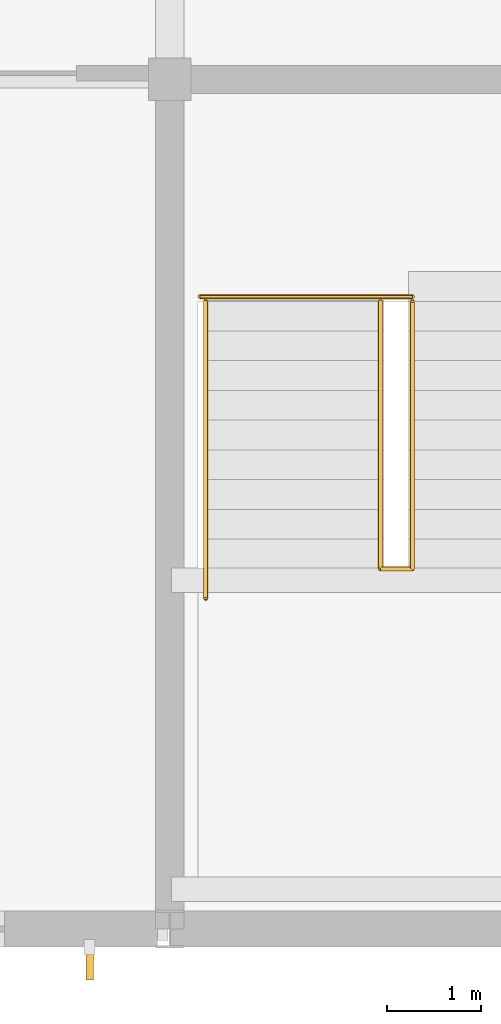
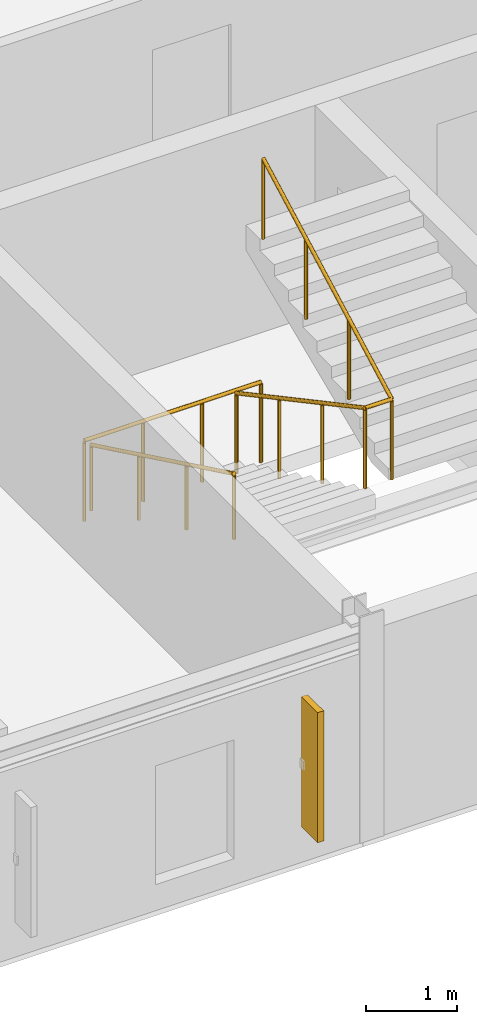
# One storey, part 22 of 24: 3 railings, 1 shading device.
"""IFC4 building model written with IfcOpenShell, lengths in metres."""

from ifc_helpers import new_model, si_unit, direction, frame, origin, origin_2d, place, context, subcontext, project, spatial, rectangle, circle, extrude, material, type_object, element, save


model = new_model("IFC4")

# Units and contexts
model_context = context("Model", 3, precision=1e-05, world=origin(), true_north=direction((0.0, 1.0)))
body_context = subcontext(model_context, "Body", "Model", "MODEL_VIEW")
ifc_project = project(units=[si_unit("LENGTHUNIT", "METRE"), si_unit("AREAUNIT", "SQUARE_METRE"), si_unit("VOLUMEUNIT", "CUBIC_METRE"), si_unit("PLANEANGLEUNIT", "RADIAN"), si_unit("MASSUNIT", "GRAM", prefix="KILO")], contexts=[model_context])

# Site, building, storey
site_placement = place(None, origin())
site = spatial("IfcSite", under=ifc_project, at=site_placement, CompositionType="ELEMENT")
building_placement = place(site_placement, origin())
building = spatial("IfcBuilding", under=site, at=building_placement, Name="Palais des Congres Ocreval", CompositionType="ELEMENT")
storey_placement = place(building_placement, frame((0.0, 0.0, 17.60009765625)))
storey = spatial("IfcBuildingStorey", under=building, at=storey_placement, Name="L05", CompositionType="ELEMENT", Elevation=17.60009765625)

# Railings
ifc_material_1 = material(Name="Anodized bronze aluminium", Category="aluminium")
railing_type_1 = type_object("IfcRailingType", Name="Bronze Stair and Ramp Handrail 900", PredefinedType="HANDRAIL", material=ifc_material_1)
railing_1_placement = place(storey_placement, frame((54.3798828125, 6.64990234375, 0.15185546875)))
element("IfcRailing", 1, at=railing_1_placement, inside=storey, type_object=railing_type_1, Name="Stair Wall Handrail ST04 L05", PredefinedType="HANDRAIL", context=body_context, shape_type="SweptSolid", body=[
    extrude(circle(Radius=0.02392578125, at=origin_2d()), frame((0.0, 0.0, 0.8759765625), z_axis=(0.0, -0.900621362251, 0.434604604044), x_axis=(1.0, 0.0, 0.0)), (0.0, 0.0, 1.0), 3.49755859375),
    extrude(circle(Radius=0.02099609375, at=origin_2d()), origin(), (0.0, 0.0, 1.0), 0.851806640625),
    extrude(circle(Radius=0.02099609375, at=origin_2d()), frame((0.0, -1.050048828125, 0.506591796875)), (0.0, 0.0, 1.0), 0.851806640625),
    extrude(circle(Radius=0.02099609375, at=origin_2d()), frame((0.0, -2.099853515625, 1.013427734375)), (0.0, 0.0, 1.0), 0.851806640625),
    extrude(circle(Radius=0.02099609375, at=origin_2d()), frame((0.0, -3.14990234375, 1.52001953125)), (0.0, 0.0, 1.0), 0.851806640625),
])
ifc_material_2 = material(Name="Steel S355", Category="steel")
railing_type_2 = type_object("IfcRailingType", Name="Stairwell Steel Guardrail 1100", PredefinedType="GUARDRAIL", material=ifc_material_2)
railing_2_placement = place(storey_placement, frame((54.320068359375, 6.699951171875, 0.0)))
element("IfcRailing", 2, at=railing_2_placement, inside=storey, type_object=railing_type_2, Name="Stairwell Landing Edge Guard ST04 L05", PredefinedType="GUARDRAIL", context=body_context, shape_type="SweptSolid", body=[
    extrude(circle(Radius=0.02392578125, at=origin_2d()), frame((0.0, 0.0, 1.076171875), z_axis=(1.0, 0.0, 0.0), x_axis=(0.0, 1.0, 0.0)), (0.0, 0.0, 1.0), 2.25),
    extrude(circle(Radius=0.02099609375, at=origin_2d()), origin(), (0.0, 0.0, 1.0), 1.052001953125),
    extrude(circle(Radius=0.02099609375, at=origin_2d()), frame((0.75, 0.0, 0.0)), (0.0, 0.0, 1.0), 1.052001953125),
    extrude(circle(Radius=0.02099609375, at=origin_2d()), frame((1.5, 0.0, 0.0)), (0.0, 0.0, 1.0), 1.052001953125),
    extrude(circle(Radius=0.02099609375, at=origin_2d()), frame((2.25, 0.0, 0.0)), (0.0, 0.0, 1.0), 1.052001953125),
])
railing_3_placement = place(storey_placement, frame((56.22998046875, 6.64990234375, 0.0)))
element("IfcRailing", 3, at=railing_3_placement, inside=storey, type_object=railing_type_2, Name="Stair Inner Guardrail ST04 L05", PredefinedType="GUARDRAIL", context=body_context, shape_type="SweptSolid", body=[
    extrude(circle(Radius=0.02392578125, at=origin_2d()), frame((0.0, 0.0, 1.076171875), z_axis=(0.0, -0.881312927046, 0.472533093678), x_axis=(1.0, 0.0, 0.0)), (0.0, 0.0, 1.0), 3.216796875),
    extrude(circle(Radius=0.02392578125, at=origin_2d()), frame((0.0, -2.8349609375, 2.59619140625), z_axis=(1.0, 0.0, 0.0), x_axis=(0.0, 1.0, 0.0)), (0.0, 0.0, 1.0), 0.340087890625),
    extrude(circle(Radius=0.02392578125, at=origin_2d()), frame((0.340087890625, -2.8349609375, 2.59619140625), z_axis=(0.0, 0.881344533369, 0.472474140563), x_axis=(-1.0, 0.0, 0.0)), (0.0, 0.0, 1.0), 3.216552734375),
    extrude(circle(Radius=0.02099609375, at=origin_2d()), origin(), (0.0, 0.0, 1.0), 1.052001953125),
    extrude(circle(Radius=0.02099609375, at=origin_2d()), frame((0.0, -0.945068359375, 0.506591796875)), (0.0, 0.0, 1.0), 1.052001953125),
    extrude(circle(Radius=0.02099609375, at=origin_2d()), frame((0.0, -1.889892578125, 1.013427734375)), (0.0, 0.0, 1.0), 1.052001953125),
    extrude(circle(Radius=0.02099609375, at=origin_2d()), frame((0.0, -2.8349609375, 1.52001953125)), (0.0, 0.0, 1.0), 1.052001953125),
    extrude(circle(Radius=0.02099609375, at=origin_2d()), frame((0.340087890625, -2.8349609375, 1.52001953125)), (0.0, 0.0, 1.0), 1.052001953125),
    extrude(circle(Radius=0.02099609375, at=origin_2d()), frame((0.340087890625, -1.889892578125, 2.026611328125)), (0.0, 0.0, 1.0), 1.052001953125),
    extrude(circle(Radius=0.02099609375, at=origin_2d()), frame((0.340087890625, -0.945068359375, 2.533203125)), (0.0, 0.0, 1.0), 1.052001953125),
    extrude(circle(Radius=0.02099609375, at=origin_2d()), frame((0.340087890625, 0.0, 3.039794921875)), (0.0, 0.0, 1.0), 1.052001953125),
])

# Shading device
ifc_material_3 = material(Name="Terracotta ceramic", Category="masonry")
shading_device_type = type_object("IfcShadingDeviceType", Name="Terracotta Ceramic Brise-Soleil Fin 360", PredefinedType="JALOUSIE", material=ifc_material_3)
shading_device_placement = place(storey_placement, frame((53.14990234375, -0.360107421875, 0.474853515625), z_axis=(0.0, 0.0, 1.0), x_axis=(0.0, -1.0, 0.0)))
element("IfcShadingDevice", 4, at=shading_device_placement, inside=storey, type_object=shading_device_type, Name="Ceramic Celosia Sun-Fin SD01", PredefinedType="JALOUSIE", context=body_context, shape_type="SweptSolid", body=[
    extrude(rectangle(XDim=0.360107421875, YDim=0.080078125, at=origin_2d()), origin(), (0.0, 0.0, 1.0), 1.75),
])

save(model, "model.ifc")
